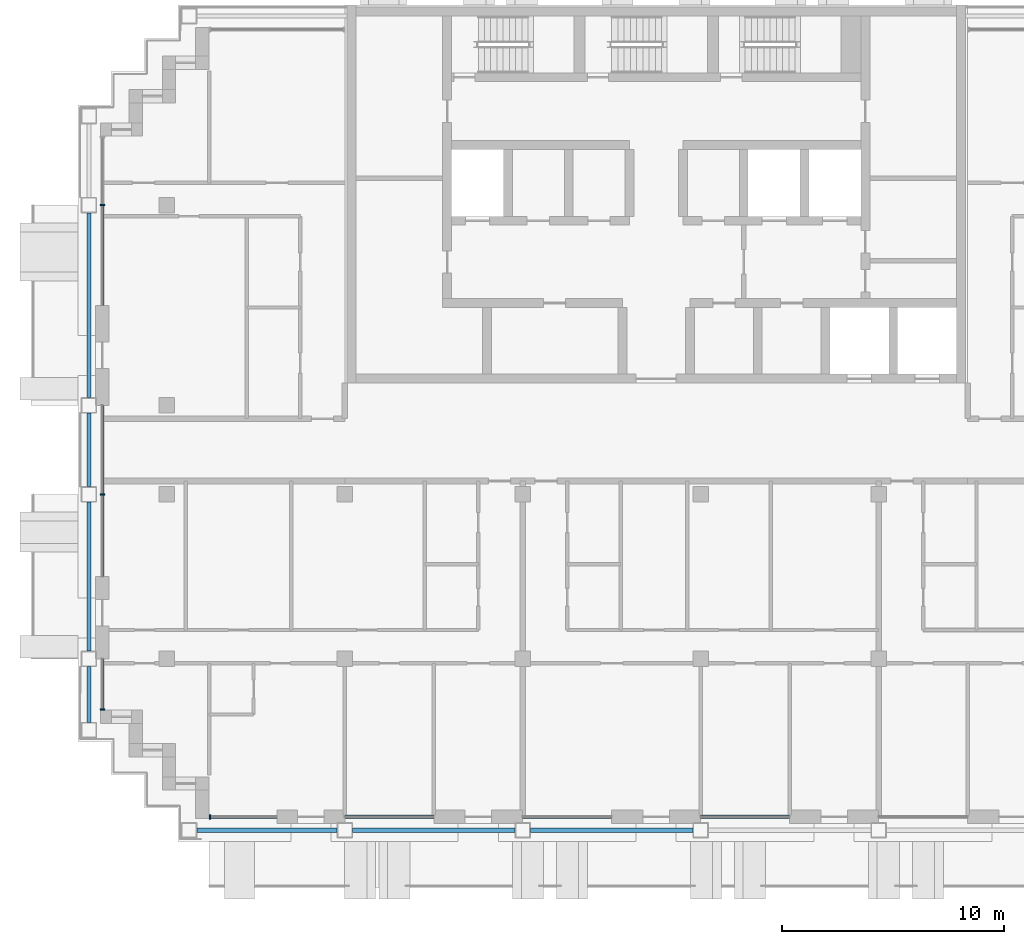
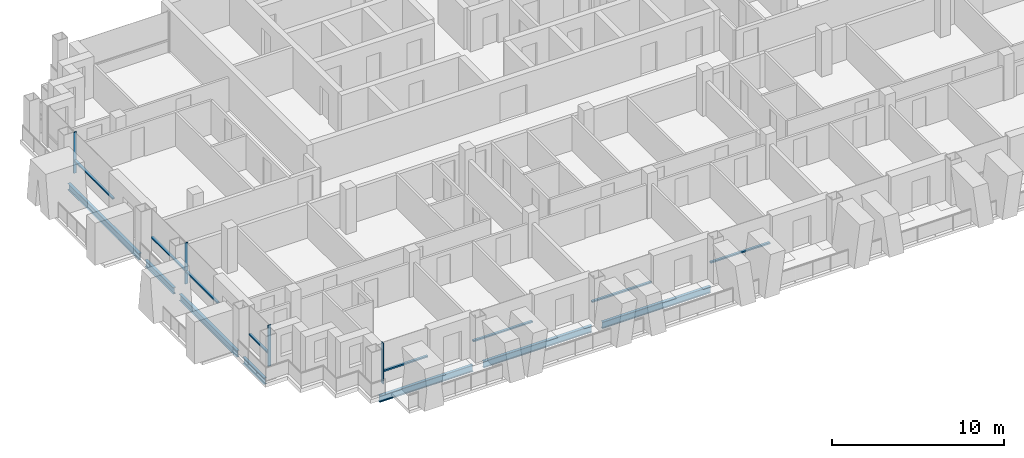
# One storey, part 2 of 16: 12 members, 7 beams, 7 elements without a shape of their own.
"""IFC4 building model written with IfcOpenShell, lengths in metres."""

from ifc_helpers import new_model, si_unit, direction, frame, origin, origin_2d, place, context, subcontext, project, spatial, rectangle, i_section, extrude, material, material_profile, profile_set, type_object, element, aggregate, save


model = new_model("IFC4")

# Units and contexts
model_context = context("Model", 3, precision=1e-05, world=origin(), true_north=direction((0.0, 1.0)))
body_context = subcontext(model_context, "Body", "Model", "MODEL_VIEW")
ifc_project = project(units=[si_unit("LENGTHUNIT", "METRE"), si_unit("AREAUNIT", "SQUARE_METRE"), si_unit("VOLUMEUNIT", "CUBIC_METRE"), si_unit("PLANEANGLEUNIT", "RADIAN"), si_unit("MASSUNIT", "GRAM", prefix="KILO")], contexts=[model_context])

# Site, building, storey
site_placement = place(None, origin())
site = spatial("IfcSite", under=ifc_project, at=site_placement, CompositionType="ELEMENT")
building_placement = place(site_placement, origin())
building = spatial("IfcBuilding", under=site, at=building_placement, Name="Vidyagriha Tower", CompositionType="ELEMENT")
storey_placement = place(building_placement, frame((0.0, 0.0, 171.699951171875)))
storey = spatial("IfcBuildingStorey", under=building, at=storey_placement, Name="L44", CompositionType="ELEMENT", Elevation=171.699951171875)

# Beams
ifc_material_1 = material(Name="Steel ASTM A992 Grade 50", Category="steel")
ifc_material_profile_1 = material_profile(ifc_material_1, i_section(OverallWidth=0.19189453125, OverallDepth=0.46240234375, WebThickness=0.010498046875, FlangeThickness=0.017578125, at=origin_2d()), Name="W18X60")
ifc_profile_set_1 = profile_set([ifc_material_profile_1], Name="Steel ASTM A992 Grade 50")
beam_type = type_object("IfcBeamType", Name="Edge beam W18X60", PredefinedType="SPANDREL", material=ifc_profile_set_1)
beam_1_placement = place(storey_placement, frame((-20.64990234375, -17.10009765625, -0.510986328125), z_axis=(1.0, 0.0, 0.0), x_axis=(0.0, 1.0, 0.0)))
element("IfcBeam", 1, at=beam_1_placement, inside=storey, type_object=beam_type, Name="st-beam-L44-S01", PredefinedType="SPANDREL", context=body_context, shape_type="SweptSolid", body=[
    extrude(i_section(OverallWidth=0.19189453125, OverallDepth=0.46240234375, WebThickness=0.010498046875, FlangeThickness=0.017578125, at=origin_2d()), origin(), (0.0, 0.0, 1.0), 6.2998046875),
])
for number, where, z_axis, x_axis, name in (
    (2, (-13.64990234375, -17.10009765625, -0.510986328125), (1.0, 0.0, 0.0), (0.0, 1.0, 0.0), "st-beam-L44-S02"),
    (3, (-5.64990234375, -17.10009765625, -0.510986328125), (1.0, 0.0, 0.0), (0.0, 1.0, 0.0), "st-beam-L44-S03"),
):
    element("IfcBeam", number, at=place(storey_placement, frame(where, z_axis=z_axis, x_axis=x_axis)), inside=storey, type_object=beam_type, Name=name, PredefinedType="SPANDREL", context=body_context, shape_type="SweptSolid", body=[
        extrude(i_section(OverallWidth=0.19189453125, OverallDepth=0.46240234375, WebThickness=0.010498046875, FlangeThickness=0.017578125, at=origin_2d()), origin(), (0.0, 0.0, 1.0), 7.2998046875),
    ])
beam_2_placement = place(storey_placement, frame((-25.5, -12.25, -0.510986328125), z_axis=(0.0, 1.0, 0.0), x_axis=(-1.0, 0.0, 0.0)))
element("IfcBeam", 4, at=beam_2_placement, inside=storey, type_object=beam_type, Name="st-beam-L44-W08", PredefinedType="SPANDREL", context=body_context, shape_type="SweptSolid", body=[
    extrude(i_section(OverallWidth=0.19189453125, OverallDepth=0.46240234375, WebThickness=0.010498046875, FlangeThickness=0.017578125, at=origin_2d()), origin(), (0.0, 0.0, 1.0), 2.5),
])
beam_3_placement = place(storey_placement, frame((-25.5, -9.050048828125, -0.510986328125), z_axis=(0.0, 1.0, 0.0), x_axis=(-1.0, 0.0, 0.0)))
element("IfcBeam", 5, at=beam_3_placement, inside=storey, type_object=beam_type, Name="st-beam-L44-W09", PredefinedType="SPANDREL", context=body_context, shape_type="SweptSolid", body=[
    extrude(i_section(OverallWidth=0.19189453125, OverallDepth=0.46240234375, WebThickness=0.010498046875, FlangeThickness=0.017578125, at=origin_2d()), origin(), (0.0, 0.0, 1.0), 6.699951171875),
])
beam_4_placement = place(storey_placement, frame((-25.5, -1.64990234375, -0.510986328125), z_axis=(0.0, 1.0, 0.0), x_axis=(-1.0, 0.0, 0.0)))
element("IfcBeam", 6, at=beam_4_placement, inside=storey, type_object=beam_type, Name="st-beam-L44-W10", PredefinedType="SPANDREL", context=body_context, shape_type="SweptSolid", body=[
    extrude(i_section(OverallWidth=0.19189453125, OverallDepth=0.46240234375, WebThickness=0.010498046875, FlangeThickness=0.017578125, at=origin_2d()), origin(), (0.0, 0.0, 1.0), 3.2998046875),
])
beam_5_placement = place(storey_placement, frame((-25.5, 2.35009765625, -0.510986328125), z_axis=(0.0, 1.0, 0.0), x_axis=(-1.0, 0.0, 0.0)))
element("IfcBeam", 7, at=beam_5_placement, inside=storey, type_object=beam_type, Name="st-beam-L44-W11", PredefinedType="SPANDREL", context=body_context, shape_type="SweptSolid", body=[
    extrude(i_section(OverallWidth=0.19189453125, OverallDepth=0.46240234375, WebThickness=0.010498046875, FlangeThickness=0.017578125, at=origin_2d()), origin(), (0.0, 0.0, 1.0), 8.2998046875),
])

# Curtain wall, member
ifc_material_2 = material(Name="Aluminium and glass curtain wall", Category="aluminium")
curtain_wall_type = type_object("IfcCurtainWallType", Name="Dwelling skin unitised curtain wall", PredefinedType="USERDEFINED", material=ifc_material_2)
curtain_wall_1_placement = place(storey_placement, origin())
curtain_wall_1 = element("IfcCurtainWall", 8, at=curtain_wall_1_placement, inside=storey, type_object=curtain_wall_type, Name="CW1 dwelling skin", ObjectType="UNITISED", PredefinedType="USERDEFINED")
ifc_material_3 = material(Name="Aluminium black anodised", Category="aluminium")
ifc_material_profile_2 = material_profile(ifc_material_3, rectangle(XDim=0.199951171875, YDim=0.070068359375, at=origin_2d()), Name="Mullion 70x200 black aluminium")
ifc_profile_set_2 = profile_set([ifc_material_profile_2], Name="Aluminium black anodised")
member_type_1 = type_object("IfcMemberType", Name="Mullion 70x200 black aluminium", PredefinedType="MULLION", material=ifc_profile_set_2)
member_1_placement = place(storey_placement, frame((-24.89990234375, 11.0, 0.0)))
member_1 = element("IfcMember", 9, at=member_1_placement, type_object=member_type_1, Name="CW1 mullion 2", PredefinedType="MULLION", context=body_context, shape_type="SweptSolid", body=[
    extrude(rectangle(XDim=0.199951171875, YDim=0.070068359375, at=origin_2d()), origin(), (0.0, 0.0, 1.0), 2.920166015625),
])

curtain_wall_2_placement = place(storey_placement, origin())
curtain_wall_2 = element("IfcCurtainWall", 10, at=curtain_wall_2_placement, inside=storey, type_object=curtain_wall_type, Name="CW1 dwelling skin", ObjectType="UNITISED", PredefinedType="USERDEFINED")
member_2_placement = place(storey_placement, frame((-24.89990234375, -2.0, 0.0)))
member_2 = element("IfcMember", 11, at=member_2_placement, type_object=member_type_1, Name="CW1 mullion 2", PredefinedType="MULLION", context=body_context, shape_type="SweptSolid", body=[
    extrude(rectangle(XDim=0.199951171875, YDim=0.070068359375, at=origin_2d()), origin(), (0.0, 0.0, 1.0), 2.920166015625),
])

curtain_wall_3_placement = place(storey_placement, origin())
curtain_wall_3 = element("IfcCurtainWall", 12, at=curtain_wall_3_placement, inside=storey, type_object=curtain_wall_type, Name="CW1 dwelling skin", ObjectType="UNITISED", PredefinedType="USERDEFINED")
member_3_placement = place(storey_placement, frame((-24.89990234375, -11.6650390625, 0.0)))
member_3 = element("IfcMember", 13, at=member_3_placement, type_object=member_type_1, Name="CW1 mullion 2", PredefinedType="MULLION", context=body_context, shape_type="SweptSolid", body=[
    extrude(rectangle(XDim=0.199951171875, YDim=0.070068359375, at=origin_2d()), origin(), (0.0, 0.0, 1.0), 2.920166015625),
])

curtain_wall_4_placement = place(storey_placement, origin())
curtain_wall_4 = element("IfcCurtainWall", 14, at=curtain_wall_4_placement, inside=storey, type_object=curtain_wall_type, Name="CW1 dwelling skin", ObjectType="UNITISED", PredefinedType="USERDEFINED")
member_4_placement = place(storey_placement, frame((-20.06494140625, -16.5, 0.0), z_axis=(0.0, 0.0, 1.0), x_axis=(0.0, 1.0, 0.0)))
member_4 = element("IfcMember", 15, at=member_4_placement, type_object=member_type_1, Name="CW1 mullion 1", PredefinedType="MULLION", context=body_context, shape_type="SweptSolid", body=[
    extrude(rectangle(XDim=0.199951171875, YDim=0.070068359375, at=origin_2d()), origin(), (0.0, 0.0, 1.0), 2.920166015625),
])

# Member
ifc_material_4 = material(Name="Aluminium black anodised", Category="aluminium")
ifc_material_profile_3 = material_profile(ifc_material_4, rectangle(XDim=0.159912109375, YDim=0.10009765625, at=origin_2d()), Name="Transom 100x160 black aluminium")
ifc_profile_set_3 = profile_set([ifc_material_profile_3], Name="Aluminium black anodised")
member_type_2 = type_object("IfcMemberType", Name="Transom 100x160 black aluminium", PredefinedType="USERDEFINED", material=ifc_profile_set_3)
member_5_placement = place(storey_placement, frame((-24.89990234375, 10.965087890625, 0.900146484375), z_axis=(0.0, -1.0, 0.0), x_axis=(1.0, 0.0, 0.0)))
member_5 = element("IfcMember", 16, at=member_5_placement, type_object=member_type_2, Name="CW1 transom 2.1", ObjectType="TRANSOM", PredefinedType="USERDEFINED", context=body_context, shape_type="SweptSolid", body=[
    extrude(rectangle(XDim=0.159912109375, YDim=0.10009765625, at=origin_2d()), origin(), (0.0, 0.0, 1.0), 4.465087890625),
])

aggregate(curtain_wall_1, [member_1, member_5])

member_6_placement = place(storey_placement, frame((-24.89990234375, 2.0, 0.900146484375), z_axis=(0.0, -1.0, 0.0), x_axis=(1.0, 0.0, 0.0)))
member_6 = element("IfcMember", 17, at=member_6_placement, type_object=member_type_2, Name="CW1 transom 1.1", ObjectType="TRANSOM", PredefinedType="USERDEFINED", context=body_context, shape_type="SweptSolid", body=[
    extrude(rectangle(XDim=0.159912109375, YDim=0.10009765625, at=origin_2d()), origin(), (0.0, 0.0, 1.0), 3.965087890625),
])

member_7_placement = place(storey_placement, frame((-24.89990234375, -2.034912109375, 0.900146484375), z_axis=(0.0, -1.0, 0.0), x_axis=(1.0, 0.0, 0.0)))
member_7 = element("IfcMember", 18, at=member_7_placement, type_object=member_type_2, Name="CW1 transom 2.1", ObjectType="TRANSOM", PredefinedType="USERDEFINED", context=body_context, shape_type="SweptSolid", body=[
    extrude(rectangle(XDim=0.159912109375, YDim=0.10009765625, at=origin_2d()), origin(), (0.0, 0.0, 1.0), 3.6650390625),
])

aggregate(curtain_wall_2, [member_2, member_6, member_7])

member_8_placement = place(storey_placement, frame((-24.89990234375, -9.39990234375, 0.900146484375), z_axis=(0.0, -1.0, 0.0), x_axis=(1.0, 0.0, 0.0)))
member_8 = element("IfcMember", 19, at=member_8_placement, type_object=member_type_2, Name="CW1 transom 1.1", ObjectType="TRANSOM", PredefinedType="USERDEFINED", context=body_context, shape_type="SweptSolid", body=[
    extrude(rectangle(XDim=0.159912109375, YDim=0.10009765625, at=origin_2d()), origin(), (0.0, 0.0, 1.0), 2.22998046875),
])

aggregate(curtain_wall_3, [member_3, member_8])

member_9_placement = place(storey_placement, frame((-20.030029296875, -16.5, 0.900146484375), z_axis=(1.0, 0.0, 0.0), x_axis=(0.0, 1.0, 0.0)))
member_9 = element("IfcMember", 20, at=member_9_placement, type_object=member_type_2, Name="CW1 transom 1.1", ObjectType="TRANSOM", PredefinedType="USERDEFINED", context=body_context, shape_type="SweptSolid", body=[
    extrude(rectangle(XDim=0.159912109375, YDim=0.10009765625, at=origin_2d()), origin(), (0.0, 0.0, 1.0), 2.97998046875),
])

aggregate(curtain_wall_4, [member_4, member_9])

# Curtain wall, member
curtain_wall_5_placement = place(storey_placement, origin())
curtain_wall_5 = element("IfcCurtainWall", 21, at=curtain_wall_5_placement, inside=storey, type_object=curtain_wall_type, Name="CW1 dwelling skin", ObjectType="UNITISED", PredefinedType="USERDEFINED")
member_10_placement = place(storey_placement, frame((-14.0, -16.5, 0.900146484375), z_axis=(1.0, 0.0, 0.0), x_axis=(0.0, 1.0, 0.0)))
member_10 = element("IfcMember", 22, at=member_10_placement, type_object=member_type_2, Name="CW1 transom 1.1", ObjectType="TRANSOM", PredefinedType="USERDEFINED", context=body_context, shape_type="SweptSolid", body=[
    extrude(rectangle(XDim=0.159912109375, YDim=0.10009765625, at=origin_2d()), origin(), (0.0, 0.0, 1.0), 4.0),
])
aggregate(curtain_wall_5, [member_10])

curtain_wall_6_placement = place(storey_placement, origin())
curtain_wall_6 = element("IfcCurtainWall", 23, at=curtain_wall_6_placement, inside=storey, type_object=curtain_wall_type, Name="CW1 dwelling skin", ObjectType="UNITISED", PredefinedType="USERDEFINED")
member_11_placement = place(storey_placement, frame((-6.0, -16.5, 0.900146484375), z_axis=(1.0, 0.0, 0.0), x_axis=(0.0, 1.0, 0.0)))
member_11 = element("IfcMember", 24, at=member_11_placement, type_object=member_type_2, Name="CW1 transom 1.1", ObjectType="TRANSOM", PredefinedType="USERDEFINED", context=body_context, shape_type="SweptSolid", body=[
    extrude(rectangle(XDim=0.159912109375, YDim=0.10009765625, at=origin_2d()), origin(), (0.0, 0.0, 1.0), 4.0),
])
aggregate(curtain_wall_6, [member_11])

curtain_wall_7_placement = place(storey_placement, origin())
curtain_wall_7 = element("IfcCurtainWall", 25, at=curtain_wall_7_placement, inside=storey, type_object=curtain_wall_type, Name="CW1 dwelling skin", ObjectType="UNITISED", PredefinedType="USERDEFINED")
member_12_placement = place(storey_placement, frame((2.0, -16.5, 0.900146484375), z_axis=(1.0, 0.0, 0.0), x_axis=(0.0, 1.0, 0.0)))
member_12 = element("IfcMember", 26, at=member_12_placement, type_object=member_type_2, Name="CW1 transom 1.1", ObjectType="TRANSOM", PredefinedType="USERDEFINED", context=body_context, shape_type="SweptSolid", body=[
    extrude(rectangle(XDim=0.159912109375, YDim=0.10009765625, at=origin_2d()), origin(), (0.0, 0.0, 1.0), 4.0),
])
aggregate(curtain_wall_7, [member_12])

save(model, "model.ifc")
